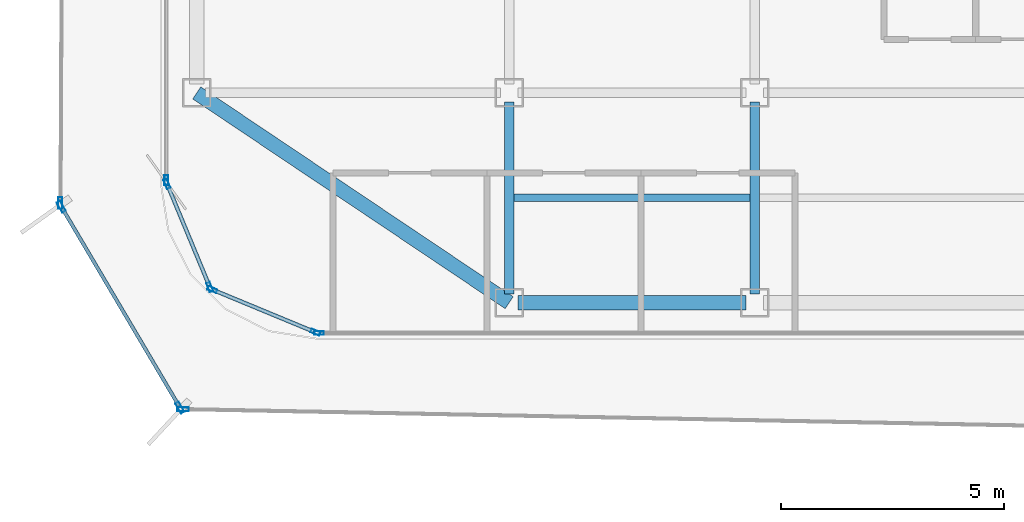
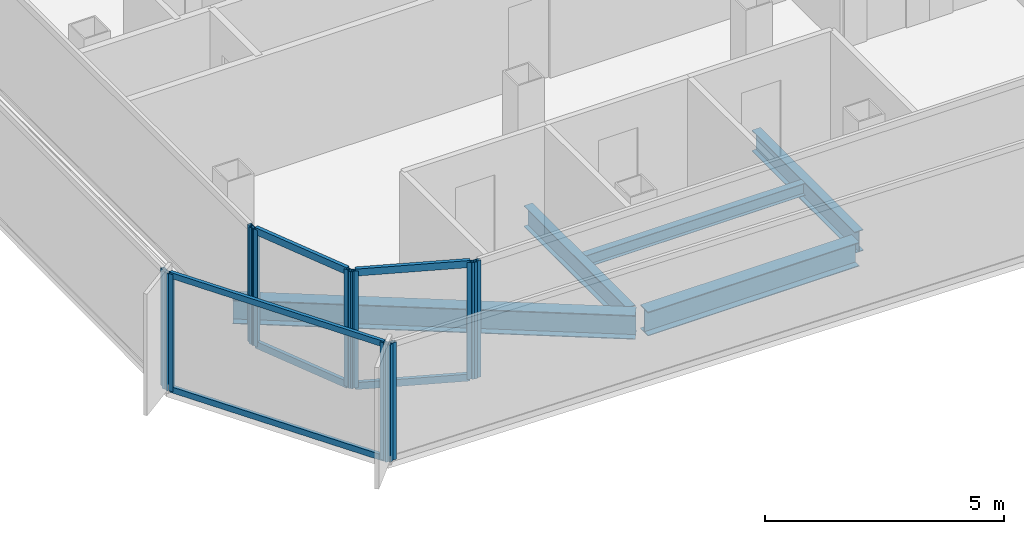
# One storey, part 2 of 15: 16 members, 5 beams, 7 elements without a shape of their own.
"""IFC4 building model written with IfcOpenShell, lengths in metres."""

from ifc_helpers import new_model, si_unit, direction, frame, origin, origin_2d, place, context, subcontext, project, spatial, hollow_rectangle, i_section, extrude, source, transform, mapped, material, layer, layer_set, material_profile, profile_set, type_object, element, aggregate, save


model = new_model("IFC4")

# Units and contexts
model_context = context("Model", 3, precision=1e-05, world=origin(), true_north=direction((0.0, 1.0)))
body_context = subcontext(model_context, "Body", "Model", "MODEL_VIEW")
ifc_project = project(units=[si_unit("LENGTHUNIT", "METRE"), si_unit("AREAUNIT", "SQUARE_METRE"), si_unit("VOLUMEUNIT", "CUBIC_METRE"), si_unit("PLANEANGLEUNIT", "RADIAN"), si_unit("MASSUNIT", "GRAM", prefix="KILO")], contexts=[model_context])

# Site, building, storey
site_placement = place(None, origin())
site = spatial("IfcSite", under=ifc_project, at=site_placement, CompositionType="ELEMENT")
building_placement = place(site_placement, origin())
building = spatial("IfcBuilding", under=site, at=building_placement, Name="Kolveth Station Tower", CompositionType="ELEMENT")
storey_placement = place(building_placement, frame((0.0, 0.0, 258.5)))
storey = spatial("IfcBuildingStorey", under=building, at=storey_placement, Name="L74", CompositionType="ELEMENT", Elevation=258.5)

# Beams
ifc_material_1 = material(Name="Steel S355", Category="steel")
ifc_material_profile_1 = material_profile(ifc_material_1, i_section(OverallWidth=0.323974609375, OverallDepth=0.611083984375, WebThickness=0.0126953125, FlangeThickness=0.01904296875, at=origin_2d()), Name="W610x155")
ifc_profile_set_1 = profile_set([ifc_material_profile_1], Name="Steel S355")
beam_type_1 = type_object("IfcBeamType", Name="Beam_SP2", PredefinedType="SPANDREL", material=ifc_profile_set_1)
shared_shape_1 = source(origin(), body_context, "Body", "SweptSolid", [
    extrude(i_section(OverallWidth=0.323974609375, OverallDepth=0.611083984375, WebThickness=0.0126953125, FlangeThickness=0.01904296875, at=origin_2d()), origin(), (0.0, 0.0, 1.0), 8.431396484375),
])
beam_1_placement = place(storey_placement, frame((6.0, 5.5, -0.525390625), z_axis=(0.830223811004, -0.557430196206, 0.0), x_axis=(0.557430196206, 0.830223811004, 0.0)))
element("IfcBeam", 1, at=beam_1_placement, inside=storey, type_object=beam_type_1, Name="L74 Corner Edge Girder BM-L74-CNR-SW", PredefinedType="SPANDREL", context=body_context, shape_type="MappedRepresentation", body=[
    mapped(shared_shape_1, transform((0.0, 0.0, 0.0), x_axis=(1.0, 0.0, 0.0), y_axis=(0.0, 1.0, 0.0), z_axis=(0.0, 0.0, 1.0), scale=1.0)),
])
shared_shape_2 = source(origin(), body_context, "Body", "SweptSolid", [
    extrude(i_section(OverallWidth=0.323974609375, OverallDepth=0.611083984375, WebThickness=0.0126953125, FlangeThickness=0.01904296875, at=origin_2d()), origin(), (0.0, 0.0, 1.0), 5.10009765625),
])
beam_2_placement = place(storey_placement, frame((13.199951171875, 0.800048828125, -0.525390625), z_axis=(1.0, 0.0, 0.0), x_axis=(0.0, 1.0, 0.0)))
element("IfcBeam", 2, at=beam_2_placement, inside=storey, type_object=beam_type_1, Name="L74 Perimeter Spandrel BM-L74-PS-1", PredefinedType="SPANDREL", context=body_context, shape_type="MappedRepresentation", body=[
    mapped(shared_shape_2, transform((0.0, 0.0, 0.0), x_axis=(1.0, 0.0, 0.0), y_axis=(0.0, 1.0, 0.0), z_axis=(0.0, 0.0, 1.0), scale=1.0)),
])
ifc_material_profile_2 = material_profile(ifc_material_1, i_section(OverallWidth=0.2099609375, OverallDepth=0.537109375, WebThickness=0.010986328125, FlangeThickness=0.017333984375, at=origin_2d()), Name="W530x101")
ifc_profile_set_2 = profile_set([ifc_material_profile_2], Name="Steel S355")
beam_type_2 = type_object("IfcBeamType", Name="Beam_B6", PredefinedType="BEAM", material=ifc_profile_set_2)
shared_shape_3 = source(origin(), body_context, "Body", "SweptSolid", [
    extrude(i_section(OverallWidth=0.2099609375, OverallDepth=0.537109375, WebThickness=0.010986328125, FlangeThickness=0.017333984375, at=origin_2d()), origin(), (0.0, 0.0, 1.0), 4.300048828125),
])
for number, where, z_axis, x_axis, name in (
    (3, (13.0, 1.0, -0.488525390625), (0.0, 1.0, 0.0), (-1.0, 0.0, 0.0), "L74 Primary Girder BM-L74-GX130-1"),
    (4, (18.5, 1.0, -0.488525390625), (0.0, 1.0, 0.0), (-1.0, 0.0, 0.0), "L74 Primary Girder BM-L74-GX185-1"),
):
    element("IfcBeam", number, at=place(storey_placement, frame(where, z_axis=z_axis, x_axis=x_axis)), inside=storey, type_object=beam_type_2, Name=name, PredefinedType="BEAM", context=body_context, shape_type="MappedRepresentation", body=[
        mapped(shared_shape_3, transform((0.0, 0.0, 0.0), x_axis=(1.0, 0.0, 0.0), y_axis=(0.0, 1.0, 0.0), z_axis=(0.0, 0.0, 1.0), scale=1.0)),
    ])
ifc_material_profile_3 = material_profile(ifc_material_1, i_section(OverallWidth=0.1650390625, OverallDepth=0.31005859375, WebThickness=0.005859375, FlangeThickness=0.009765625, at=origin_2d()), Name="W310x39")
ifc_profile_set_3 = profile_set([ifc_material_profile_3], Name="Steel S355")
beam_type_3 = type_object("IfcBeamType", Name="Beam_J3", PredefinedType="JOIST", material=ifc_profile_set_3)
shared_shape_4 = source(origin(), body_context, "Body", "SweptSolid", [
    extrude(i_section(OverallWidth=0.1650390625, OverallDepth=0.31005859375, WebThickness=0.005859375, FlangeThickness=0.009765625, at=origin_2d()), origin(), (0.0, 0.0, 1.0), 5.2939453125),
])
beam_3_placement = place(storey_placement, frame((13.10302734375, 3.14990234375, -0.375), z_axis=(1.0, 0.0, 0.0), x_axis=(0.0, 1.0, 0.0)))
element("IfcBeam", 5, at=beam_3_placement, inside=storey, type_object=beam_type_3, Name="L74 Secondary Joist JST-L74-2-1", PredefinedType="JOIST", context=body_context, shape_type="MappedRepresentation", body=[
    mapped(shared_shape_4, transform((0.0, 0.0, 0.0), x_axis=(1.0, 0.0, 0.0), y_axis=(0.0, 1.0, 0.0), z_axis=(0.0, 0.0, 1.0), scale=1.0)),
])

# Curtain wall, member
ifc_material_2 = material(Name="Black anodized aluminium 6063-T6 and dark solar glass", Category="aluminium")
ifc_layer_1 = layer(ifc_material_2, 0.159912109375)
ifc_layer_set_1 = layer_set([ifc_layer_1], Name="Black anodized aluminium 6063-T6 and dark solar glass")
curtain_wall_type_1 = type_object("IfcCurtainWallType", Name="OUTER SKIN CW-OS", PredefinedType="NOTDEFINED", material=ifc_layer_set_1)
curtain_wall_1_placement = place(storey_placement, origin())
curtain_wall_1 = element("IfcCurtainWall", 6, at=curtain_wall_1_placement, inside=storey, type_object=curtain_wall_type_1, Name="L74 Outer Ventilated Skin Curtain Wall 6", PredefinedType="NOTDEFINED")
ifc_material_3 = material(Name="Black anodized aluminium 6063-T6", Category="aluminium")
ifc_material_profile_4 = material_profile(ifc_material_3, hollow_rectangle(XDim=0.090087890625, YDim=0.260009765625, WallThickness=0.0048828125, at=origin_2d()), Name="ALU-90x260x5")
ifc_profile_set_4 = profile_set([ifc_material_profile_4], Name="Black anodized aluminium 6063-T6")
member_type_1 = type_object("IfcMemberType", Name="FIN MULLION ML-OS", PredefinedType="MULLION", material=ifc_profile_set_4)
shared_shape_5 = source(origin(), body_context, "Body", "SweptSolid", [
    extrude(hollow_rectangle(XDim=0.090087890625, YDim=0.260009765625, WallThickness=0.0048828125, at=origin_2d()), origin(), (0.0, 0.0, 1.0), 2.989990234375),
])
member_1_placement = place(storey_placement, frame((2.943603515625, 3.034912109375, 0.0), z_axis=(0.0, 0.0, 1.0), x_axis=(0.999988310762, -0.00483511515, 0.0)))
member_1 = element("IfcMember", 7, at=member_1_placement, type_object=member_type_1, Name="CW-OS mullion 2", PredefinedType="MULLION", context=body_context, shape_type="MappedRepresentation", body=[
    mapped(shared_shape_5, transform((0.0, 0.0, 0.0), x_axis=(1.0, 0.0, 0.0), y_axis=(0.0, 1.0, 0.0), z_axis=(0.0, 0.0, 1.0), scale=1.0)),
])
aggregate(curtain_wall_1, [member_1])

# Curtain wall, members
curtain_wall_2_placement = place(storey_placement, origin())
curtain_wall_2 = element("IfcCurtainWall", 8, at=curtain_wall_2_placement, inside=storey, type_object=curtain_wall_type_1, Name="L74 Outer Ventilated Skin Curtain Wall 7", PredefinedType="NOTDEFINED")
member_2_placement = place(storey_placement, frame((2.96630859375, 2.951171875, 0.0), z_axis=(0.0, 0.0, 1.0), x_axis=(0.861001415832, 0.508602557933, 0.0)))
member_2 = element("IfcMember", 9, at=member_2_placement, type_object=member_type_1, Name="CW-OS mullion 1", PredefinedType="MULLION", context=body_context, shape_type="MappedRepresentation", body=[
    mapped(shared_shape_5, transform((0.0, 0.0, 0.0), x_axis=(1.0, 0.0, 0.0), y_axis=(0.0, 1.0, 0.0), z_axis=(0.0, 0.0, 1.0), scale=1.0)),
])
member_3_placement = place(storey_placement, frame((5.624267578125, -1.548583984375, 0.0), z_axis=(0.0, 0.0, 1.0), x_axis=(0.861001415832, 0.508602557933, 0.0)))
member_3 = element("IfcMember", 10, at=member_3_placement, type_object=member_type_1, Name="CW-OS mullion 2", PredefinedType="MULLION", context=body_context, shape_type="MappedRepresentation", body=[
    mapped(shared_shape_5, transform((0.0, 0.0, 0.0), x_axis=(1.0, 0.0, 0.0), y_axis=(0.0, 1.0, 0.0), z_axis=(0.0, 0.0, 1.0), scale=1.0)),
])

# Curtain wall, member
curtain_wall_3_placement = place(storey_placement, origin())
curtain_wall_3 = element("IfcCurtainWall", 11, at=curtain_wall_3_placement, inside=storey, type_object=curtain_wall_type_1, Name="L74 Outer Ventilated Skin Curtain Wall 8", PredefinedType="NOTDEFINED")
member_4_placement = place(storey_placement, frame((5.692138671875, -1.588134765625, 0.0), z_axis=(0.0, 0.0, 1.0), x_axis=(0.019466025632, 0.999810518972, 0.0)))
member_4 = element("IfcMember", 12, at=member_4_placement, type_object=member_type_1, Name="CW-OS mullion 1", PredefinedType="MULLION", context=body_context, shape_type="MappedRepresentation", body=[
    mapped(shared_shape_5, transform((0.0, 0.0, 0.0), x_axis=(1.0, 0.0, 0.0), y_axis=(0.0, 1.0, 0.0), z_axis=(0.0, 0.0, 1.0), scale=1.0)),
])
aggregate(curtain_wall_3, [member_4])

ifc_material_4 = material(Name="Aluminium 6063-T6 and triple low-E dark glass", Category="aluminium")
ifc_layer_2 = layer(ifc_material_4, 0.199951171875)
ifc_layer_set_2 = layer_set([ifc_layer_2], Name="Aluminium 6063-T6 and triple low-E dark glass")
curtain_wall_type_2 = type_object("IfcCurtainWallType", Name="CurtainWall_CW-Z3", PredefinedType="NOTDEFINED", material=ifc_layer_set_2)
curtain_wall_4_placement = place(storey_placement, origin())
curtain_wall_4 = element("IfcCurtainWall", 13, at=curtain_wall_4_placement, inside=storey, type_object=curtain_wall_type_2, Name="L74 Inner Thermal Curtain Wall 9", PredefinedType="NOTDEFINED")
ifc_material_profile_5 = material_profile(ifc_material_3, hollow_rectangle(XDim=0.0849609375, YDim=0.215087890625, WallThickness=0.0048828125, at=origin_2d()), Name="ALU-85x215x5")
ifc_profile_set_5 = profile_set([ifc_material_profile_5], Name="Black anodized aluminium 6063-T6")
member_type_2 = type_object("IfcMemberType", Name="Mullion_ML3", PredefinedType="MULLION", material=ifc_profile_set_5)
shared_shape_6 = source(origin(), body_context, "Body", "SweptSolid", [
    extrude(hollow_rectangle(XDim=0.0849609375, YDim=0.215087890625, WallThickness=0.0048828125, at=origin_2d()), origin(), (0.0, 0.0, 1.0), 2.97998046875),
])
member_5_placement = place(storey_placement, frame((5.320068359375, 3.54248046875, 0.0), z_axis=(0.0, 0.0, 1.0), x_axis=(1.0, 0.0, 0.0)))
member_5 = element("IfcMember", 14, at=member_5_placement, type_object=member_type_2, Name="CW-Z3 mullion 2", PredefinedType="MULLION", context=body_context, shape_type="MappedRepresentation", body=[
    mapped(shared_shape_6, transform((0.0, 0.0, 0.0), x_axis=(1.0, 0.0, 0.0), y_axis=(0.0, 1.0, 0.0), z_axis=(0.0, 0.0, 1.0), scale=1.0)),
])
aggregate(curtain_wall_4, [member_5])

# Curtain wall, members
curtain_wall_5_placement = place(storey_placement, origin())
curtain_wall_5 = element("IfcCurtainWall", 15, at=curtain_wall_5_placement, inside=storey, type_object=curtain_wall_type_2, Name="L74 Inner Thermal Curtain Wall 10", PredefinedType="NOTDEFINED")
member_6_placement = place(storey_placement, frame((5.336181640625, 3.460693359375, 0.0), z_axis=(0.0, 0.0, 1.0), x_axis=(0.923875488975, 0.382693194181, 0.0)))
member_6 = element("IfcMember", 16, at=member_6_placement, type_object=member_type_2, Name="CW-Z3 mullion 1", PredefinedType="MULLION", context=body_context, shape_type="MappedRepresentation", body=[
    mapped(shared_shape_6, transform((0.0, 0.0, 0.0), x_axis=(1.0, 0.0, 0.0), y_axis=(0.0, 1.0, 0.0), z_axis=(0.0, 0.0, 1.0), scale=1.0)),
])
member_7_placement = place(storey_placement, frame((6.293701171875, 1.149169921875, 0.0), z_axis=(0.0, 0.0, 1.0), x_axis=(0.923875488975, 0.382693194181, 0.0)))
member_7 = element("IfcMember", 17, at=member_7_placement, type_object=member_type_2, Name="CW-Z3 mullion 2", PredefinedType="MULLION", context=body_context, shape_type="MappedRepresentation", body=[
    mapped(shared_shape_6, transform((0.0, 0.0, 0.0), x_axis=(1.0, 0.0, 0.0), y_axis=(0.0, 1.0, 0.0), z_axis=(0.0, 0.0, 1.0), scale=1.0)),
])

curtain_wall_6_placement = place(storey_placement, origin())
curtain_wall_6 = element("IfcCurtainWall", 18, at=curtain_wall_6_placement, inside=storey, type_object=curtain_wall_type_2, Name="L74 Inner Thermal Curtain Wall 11", PredefinedType="NOTDEFINED")
member_8_placement = place(storey_placement, frame((6.349365234375, 1.09375, 0.0), z_axis=(0.0, 0.0, 1.0), x_axis=(0.382693194181, 0.923875488975, 0.0)))
member_8 = element("IfcMember", 19, at=member_8_placement, type_object=member_type_2, Name="CW-Z3 mullion 1", PredefinedType="MULLION", context=body_context, shape_type="MappedRepresentation", body=[
    mapped(shared_shape_6, transform((0.0, 0.0, 0.0), x_axis=(1.0, 0.0, 0.0), y_axis=(0.0, 1.0, 0.0), z_axis=(0.0, 0.0, 1.0), scale=1.0)),
])
member_9_placement = place(storey_placement, frame((8.66064453125, 0.13623046875, 0.0), z_axis=(0.0, 0.0, 1.0), x_axis=(0.382693194181, 0.923875488975, 0.0)))
member_9 = element("IfcMember", 20, at=member_9_placement, type_object=member_type_2, Name="CW-Z3 mullion 2", PredefinedType="MULLION", context=body_context, shape_type="MappedRepresentation", body=[
    mapped(shared_shape_6, transform((0.0, 0.0, 0.0), x_axis=(1.0, 0.0, 0.0), y_axis=(0.0, 1.0, 0.0), z_axis=(0.0, 0.0, 1.0), scale=1.0)),
])

# Curtain wall, member
curtain_wall_7_placement = place(storey_placement, origin())
curtain_wall_7 = element("IfcCurtainWall", 21, at=curtain_wall_7_placement, inside=storey, type_object=curtain_wall_type_2, Name="L74 Inner Thermal Curtain Wall 12", PredefinedType="NOTDEFINED")
member_10_placement = place(storey_placement, frame((8.742431640625, 0.1201171875, 0.0), z_axis=(0.0, 0.0, 1.0), x_axis=(0.0, 1.0, 0.0)))
member_10 = element("IfcMember", 22, at=member_10_placement, type_object=member_type_2, Name="CW-Z3 mullion 1", PredefinedType="MULLION", context=body_context, shape_type="MappedRepresentation", body=[
    mapped(shared_shape_6, transform((0.0, 0.0, 0.0), x_axis=(1.0, 0.0, 0.0), y_axis=(0.0, 1.0, 0.0), z_axis=(0.0, 0.0, 1.0), scale=1.0)),
])
aggregate(curtain_wall_7, [member_10])

# Member
ifc_material_profile_6 = material_profile(ifc_material_3, hollow_rectangle(XDim=0.0849609375, YDim=0.179931640625, WallThickness=0.0048828125, at=origin_2d()), Name="ALU-85x180x5")
ifc_profile_set_6 = profile_set([ifc_material_profile_6], Name="Black anodized aluminium 6063-T6")
member_type_3 = type_object("IfcMemberType", Name="Transom_TR3", PredefinedType="USERDEFINED", material=ifc_profile_set_6)
shared_shape_7 = source(origin(), body_context, "Body", "SweptSolid", [
    extrude(hollow_rectangle(XDim=0.0849609375, YDim=0.179931640625, WallThickness=0.0048828125, at=origin_2d()), origin(), (0.0, 0.0, 1.0), 2.4169921875),
])
member_11_placement = place(storey_placement, frame((5.3525390625, 3.42138671875, 0.04248046875), z_axis=(0.382735401206, -0.9238580046, 0.0), x_axis=(0.9238580046, 0.382735401206, 0.0)))
member_11 = element("IfcMember", 23, at=member_11_placement, type_object=member_type_3, Name="CW-Z3 transom 1.1", ObjectType="TRANSOM", PredefinedType="USERDEFINED", context=body_context, shape_type="MappedRepresentation", body=[
    mapped(shared_shape_7, transform((0.0, 0.0, 0.0), x_axis=(1.0, 0.0, 0.0), y_axis=(0.0, 1.0, 0.0), z_axis=(0.0, 0.0, 1.0), scale=1.0)),
])

member_12_placement = place(storey_placement, frame((5.3525390625, 3.42138671875, 2.9375), z_axis=(0.382735401206, -0.9238580046, 0.0), x_axis=(0.9238580046, 0.382735401206, 0.0)))
member_12 = element("IfcMember", 24, at=member_12_placement, type_object=member_type_3, Name="CW-Z3 transom 1.2", ObjectType="TRANSOM", PredefinedType="USERDEFINED", context=body_context, shape_type="MappedRepresentation", body=[
    mapped(shared_shape_7, transform((0.0, 0.0, 0.0), x_axis=(1.0, 0.0, 0.0), y_axis=(0.0, 1.0, 0.0), z_axis=(0.0, 0.0, 1.0), scale=1.0)),
])

aggregate(curtain_wall_5, [member_6, member_7, member_11, member_12])

member_13_placement = place(storey_placement, frame((6.388427734375, 1.077392578125, 0.04248046875), z_axis=(0.923908507952, -0.382613471971, 0.0), x_axis=(0.382613471971, 0.923908507952, 0.0)))
member_13 = element("IfcMember", 25, at=member_13_placement, type_object=member_type_3, Name="CW-Z3 transom 1.1", ObjectType="TRANSOM", PredefinedType="USERDEFINED", context=body_context, shape_type="MappedRepresentation", body=[
    mapped(shared_shape_7, transform((0.0, 0.0, 0.0), x_axis=(1.0, 0.0, 0.0), y_axis=(0.0, 1.0, 0.0), z_axis=(0.0, 0.0, 1.0), scale=1.0)),
])

member_14_placement = place(storey_placement, frame((6.388427734375, 1.077392578125, 2.9375), z_axis=(0.923908507952, -0.382613471971, 0.0), x_axis=(0.382613471971, 0.923908507952, 0.0)))
member_14 = element("IfcMember", 26, at=member_14_placement, type_object=member_type_3, Name="CW-Z3 transom 1.2", ObjectType="TRANSOM", PredefinedType="USERDEFINED", context=body_context, shape_type="MappedRepresentation", body=[
    mapped(shared_shape_7, transform((0.0, 0.0, 0.0), x_axis=(1.0, 0.0, 0.0), y_axis=(0.0, 1.0, 0.0), z_axis=(0.0, 0.0, 1.0), scale=1.0)),
])

aggregate(curtain_wall_6, [member_8, member_9, member_13, member_14])

ifc_material_profile_7 = material_profile(ifc_material_3, hollow_rectangle(XDim=0.080078125, YDim=0.14990234375, WallThickness=0.0048828125, at=origin_2d()), Name="ALU-80x150x5")
ifc_profile_set_7 = profile_set([ifc_material_profile_7], Name="Black anodized aluminium 6063-T6")
member_type_4 = type_object("IfcMemberType", Name="Transom_TR-OS", PredefinedType="USERDEFINED", material=ifc_profile_set_7)
shared_shape_8 = source(origin(), body_context, "Body", "SweptSolid", [
    extrude(hollow_rectangle(XDim=0.080078125, YDim=0.14990234375, WallThickness=0.0048828125, at=origin_2d()), origin(), (0.0, 0.0, 1.0), 5.135986328125),
])
member_15_placement = place(storey_placement, frame((2.9892578125, 2.912353515625, 0.0400390625), z_axis=(0.50858356777, -0.861012633238, 0.0), x_axis=(0.861012633238, 0.50858356777, 0.0)))
member_15 = element("IfcMember", 27, at=member_15_placement, type_object=member_type_4, Name="CW-OS transom 1.1", ObjectType="TRANSOM", PredefinedType="USERDEFINED", context=body_context, shape_type="MappedRepresentation", body=[
    mapped(shared_shape_8, transform((0.0, 0.0, 0.0), x_axis=(1.0, 0.0, 0.0), y_axis=(0.0, 1.0, 0.0), z_axis=(0.0, 0.0, 1.0), scale=1.0)),
])

member_16_placement = place(storey_placement, frame((2.9892578125, 2.912353515625, 2.949951171875), z_axis=(0.50858356777, -0.861012633238, 0.0), x_axis=(0.861012633238, 0.50858356777, 0.0)))
member_16 = element("IfcMember", 28, at=member_16_placement, type_object=member_type_4, Name="CW-OS transom 1.2", ObjectType="TRANSOM", PredefinedType="USERDEFINED", context=body_context, shape_type="MappedRepresentation", body=[
    mapped(shared_shape_8, transform((0.0, 0.0, 0.0), x_axis=(1.0, 0.0, 0.0), y_axis=(0.0, 1.0, 0.0), z_axis=(0.0, 0.0, 1.0), scale=1.0)),
])

aggregate(curtain_wall_2, [member_2, member_3, member_15, member_16])

save(model, "model.ifc")
